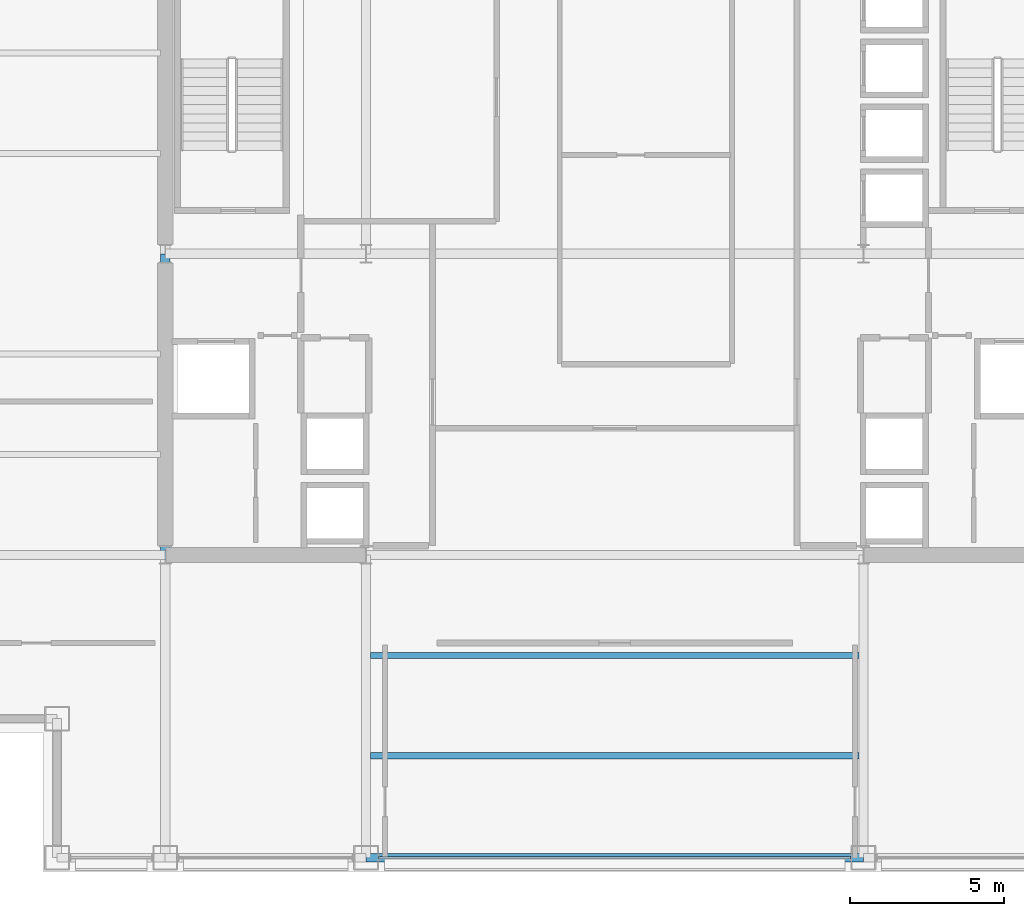
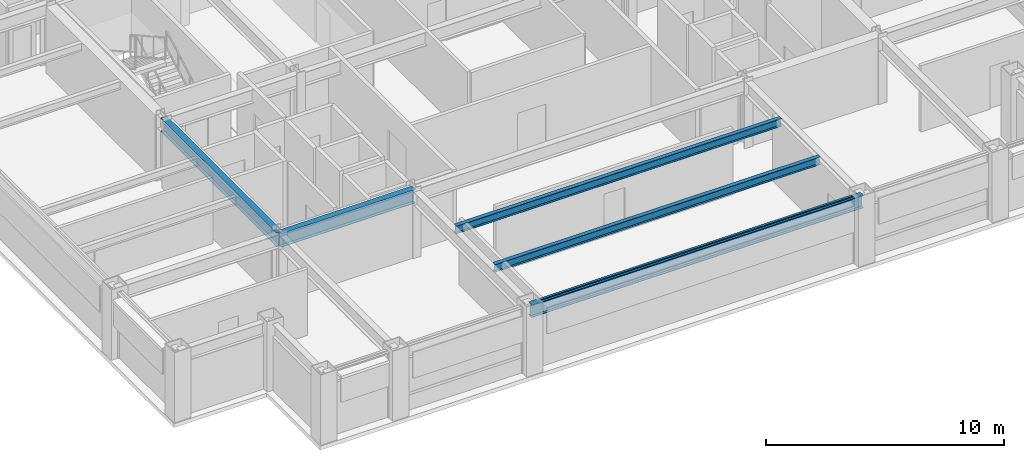
# One storey, part 5 of 29: 5 beams, 1 member, 1 element without a shape of its own.
"""IFC4 building model written with IfcOpenShell, lengths in metres."""

import ifcopenshell
import ifcopenshell.guid

model = None  # the IFC model being written
_history = None  # IfcOwnerHistory: only IFC2X3 demands one
_inside = {}  # id of a spatial element -> (the spatial element, [elements in it])
_under = {}  # id of a project, library or spatial element -> (it, [spatial elements below it])
_declared = {}  # id of a project -> (the project, [libraries it declares])
_typed = {}  # id of a type object -> (the type object, [elements of that type])
_made_of = {}  # id of a material, layer set ... -> (it, [elements and type objects made of it])


def new_model(schema):
    """Start an empty IFC model of exactly this schema.

    Asked for "IFC4X3", IfcOpenShell would pick the latest addendum, in which some entities
    have other attributes; the version numbers below select the first issue.
    IFC2X3 requires an IfcOwnerHistory on every rooted entity: one is made here for all.
    """
    global model, _history
    if schema == "IFC4X3":
        model = ifcopenshell.file(schema_version=(4, 3, 0, 0))
    else:
        model = ifcopenshell.file(schema=schema)
    _inside.clear()
    _under.clear()
    _declared.clear()
    _typed.clear()
    _made_of.clear()
    _history = None
    if model.schema == "IFC2X3":
        org = make("IfcOrganization", Name="unknown")
        user = make(
            "IfcPersonAndOrganization",
            ThePerson=make("IfcPerson", FamilyName="unknown"),
            TheOrganization=org,
        )
        app = make(
            "IfcApplication",
            ApplicationDeveloper=org,
            Version="unknown",
            ApplicationFullName="unknown",
            ApplicationIdentifier="unknown",
        )
        _history = make(
            "IfcOwnerHistory",
            OwningUser=user,
            OwningApplication=app,
            ChangeAction="ADDED",
            CreationDate=0,
        )
    return model


def make(cls, **values):
    """One entity of the class cls with the attributes given. An attribute that is None is left unset."""
    return model.create_entity(
        cls, **{name: value for name, value in values.items() if value is not None}
    )


def rooted(cls, **values):
    """An entity with a GlobalId (a new one), such as an element, a storey or a relation."""
    return make(cls, GlobalId=ifcopenshell.guid.new(), OwnerHistory=_history, **values)


def si_unit(unit_type, name, prefix=None):
    """IfcSIUnit, for example si_unit("LENGTHUNIT", "METRE", prefix="MILLI")."""
    return make("IfcSIUnit", UnitType=unit_type, Prefix=prefix, Name=name)


def assignment(units):
    """IfcUnitAssignment: the units of a project."""
    return None if units is None else make("IfcUnitAssignment", Units=units)


def point(xyz):
    """IfcCartesianPoint."""
    return None if xyz is None else make("IfcCartesianPoint", Coordinates=xyz)


def direction(xyz):
    """IfcDirection."""
    return None if xyz is None else make("IfcDirection", DirectionRatios=xyz)


def frame(location, z_axis=None, x_axis=None):
    """IfcAxis2Placement3D, a coordinate frame: its origin and axes. An axis left out is left unset."""
    return make(
        "IfcAxis2Placement3D",
        Location=point(location),
        Axis=direction(z_axis),
        RefDirection=direction(x_axis),
    )


def frame_2d(location, x_axis=None):
    """IfcAxis2Placement2D, a coordinate frame in the plane: its origin and x axis."""
    return make(
        "IfcAxis2Placement2D", Location=point(location), RefDirection=direction(x_axis)
    )


def origin():
    """The frame at (0, 0, 0) with its axes left unset."""
    return frame((0.0, 0.0, 0.0))


def origin_2d():
    """The frame at (0, 0) in the plane with its x axis left unset."""
    return frame_2d((0.0, 0.0))


def place(relative_to, where):
    """IfcLocalPlacement: puts the frame where relative to a parent placement (None: the world)."""
    return make(
        "IfcLocalPlacement", PlacementRelTo=relative_to, RelativePlacement=where
    )


def context(
    kind, dimensions, precision=None, world=None, true_north=None, identifier=None
):
    """IfcGeometricRepresentationContext, for example the 3D "Model" context."""
    return make(
        "IfcGeometricRepresentationContext",
        ContextIdentifier=identifier,
        ContextType=kind,
        CoordinateSpaceDimension=dimensions,
        Precision=precision,
        WorldCoordinateSystem=world,
        TrueNorth=true_north,
    )


def subcontext(parent, identifier, kind, view, scale=None):
    """IfcGeometricRepresentationSubContext, for example "Body" below "Model"."""
    return make(
        "IfcGeometricRepresentationSubContext",
        ContextIdentifier=identifier,
        ContextType=kind,
        ParentContext=parent,
        TargetScale=scale,
        TargetView=view,
    )


def project(units=None, contexts=None):
    """IfcProject with its units and contexts."""
    return rooted(
        "IfcProject",
        Name="project",
        RepresentationContexts=contexts,
        UnitsInContext=assignment(units),
    )


def spatial(cls, under=None, at=None, **own):
    """A site, building, storey or space (cls), placed at a placement, below another one or the project."""
    s = rooted(cls, ObjectPlacement=at, **own)
    if under is not None:
        _under.setdefault(under.id(), (under, []))[1].append(s)
    return s


def profile(cls, at=None, kind="AREA", **sizes):
    """A parametric profile (cls). Its sizes go by their IFC names, for example OverallWidth=200.0."""
    return make(cls, ProfileType=kind, Position=at, **sizes)


def hollow_rectangle(**sizes):
    """IfcRectangleHollowProfileDef."""
    return profile("IfcRectangleHollowProfileDef", **sizes)


def i_section(**sizes):
    """IfcIShapeProfileDef."""
    return profile("IfcIShapeProfileDef", **sizes)


def extrude(swept, where, along, depth):
    """IfcExtrudedAreaSolid: the profile swept, set in the frame where, extruded along a direction by depth."""
    return make(
        "IfcExtrudedAreaSolid",
        SweptArea=swept,
        Position=where,
        ExtrudedDirection=direction(along),
        Depth=depth,
    )


def shape(context_of_items, identifier, shape_type, items):
    """IfcShapeRepresentation: the items that make up one representation, for example the "Body"."""
    return make(
        "IfcShapeRepresentation",
        ContextOfItems=context_of_items,
        RepresentationIdentifier=identifier,
        RepresentationType=shape_type,
        Items=items,
    )


def material(Name=None, Category=None):
    """IfcMaterial."""
    return make("IfcMaterial", Name=Name, Category=Category)


def layer(
    of_material, thickness, ventilated=None, Name=None, Category=None, Priority=None
):
    """IfcMaterialLayer: one layer of a wall or slab, of a material (None: an air gap)."""
    return make(
        "IfcMaterialLayer",
        Material=of_material,
        LayerThickness=thickness,
        IsVentilated=ventilated,
        Name=Name,
        Category=Category,
        Priority=Priority,
    )


def layer_set(layers, Name=None):
    """IfcMaterialLayerSet."""
    return make("IfcMaterialLayerSet", MaterialLayers=layers, LayerSetName=Name)


def material_profile(
    of_material, cross_section, Name=None, Category=None, Priority=None
):
    """IfcMaterialProfile: a cross section and its material."""
    return make(
        "IfcMaterialProfile",
        Name=Name,
        Material=of_material,
        Profile=cross_section,
        Priority=Priority,
        Category=Category,
    )


def profile_set(profiles, Name=None, composite=None):
    """IfcMaterialProfileSet."""
    return make(
        "IfcMaterialProfileSet",
        Name=Name,
        MaterialProfiles=profiles,
        CompositeProfile=composite,
    )


def made_of(thing, what):
    """Note that an element or type object is made of a material, layer set ...; save() writes the relation."""
    if what is not None:
        _made_of.setdefault(what.id(), (what, []))[1].append(thing)
    return thing


def type_object(cls, material=None, **own):
    """A type object (cls), such as IfcWallType, which elements share."""
    return made_of(rooted(cls, **own), material)


def element(
    cls,
    number,
    at=None,
    inside=None,
    cuts=None,
    type_object=None,
    material=None,
    context=None,
    identifier="Body",
    shape_type=None,
    held_by="IfcProductDefinitionShape",
    body=None,
    shapes=None,
    **own,
):
    """One element of the class cls, such as IfcWall. Its Tag is "e" and its number.

    at: its placement. inside: the storey or other place that contains it. cuts: it is an
    opening in that element (IfcRelVoidsElement). A single representation is given by context,
    identifier, shape_type and body (its items); several are given by shapes. held_by: the class
    of the entity that holds the representations. save() writes the other relations.
    """
    e = rooted(cls, Tag="e%d" % number, ObjectPlacement=at, **own)
    if body is not None:
        shapes = [shape(context, identifier, shape_type, body)]
    if shapes is not None:
        e.Representation = make(held_by, Representations=shapes)
    if inside is not None:
        _inside.setdefault(inside.id(), (inside, []))[1].append(e)
    if cuts is not None:
        rooted(
            "IfcRelVoidsElement", RelatingBuildingElement=cuts, RelatedOpeningElement=e
        )
    if type_object is not None:
        _typed.setdefault(type_object.id(), (type_object, []))[1].append(e)
    return made_of(e, material)


def aggregate(whole, parts):
    """IfcRelAggregates: a whole, such as a stair, and the parts it consists of."""
    return rooted("IfcRelAggregates", RelatingObject=whole, RelatedObjects=parts)


def save(model, path):
    """Write the relations noted so far, then the file.

    IfcRelAggregates (storeys below a building ...), IfcRelContainedInSpatialStructure (elements
    in a storey), IfcRelDefinesByType, IfcRelAssociatesMaterial and IfcRelDeclares: one each for
    every whole, place, type object, material and project.
    """
    for whole, parts in _under.values():
        aggregate(whole, parts)
    for where, things in _inside.values():
        rooted(
            "IfcRelContainedInSpatialStructure",
            RelatedElements=things,
            RelatingStructure=where,
        )
    for kind, things in _typed.values():
        rooted("IfcRelDefinesByType", RelatedObjects=things, RelatingType=kind)
    for what, things in _made_of.values():
        rooted("IfcRelAssociatesMaterial", RelatedObjects=things, RelatingMaterial=what)
    for by, libraries in _declared.values():
        rooted("IfcRelDeclares", RelatingContext=by, RelatedDefinitions=libraries)
    model.write(path)


model = new_model("IFC4")

# Units and contexts
model_context = context("Model", 3, precision=1e-05, world=origin(), true_north=direction((0.0, 1.0)))
body_context = subcontext(model_context, "Body", "Model", "MODEL_VIEW")
ifc_project = project(units=[si_unit("LENGTHUNIT", "METRE"), si_unit("AREAUNIT", "SQUARE_METRE"), si_unit("VOLUMEUNIT", "CUBIC_METRE"), si_unit("PLANEANGLEUNIT", "RADIAN"), si_unit("MASSUNIT", "GRAM", prefix="KILO")], contexts=[model_context])

# Site, building, storey
site_placement = place(None, origin())
site = spatial("IfcSite", under=ifc_project, at=site_placement, CompositionType="ELEMENT")
building_placement = place(site_placement, origin())
building = spatial("IfcBuilding", under=site, at=building_placement, Name="Brelmoor Portico Tower", CompositionType="ELEMENT")
storey_placement = place(building_placement, frame((0.0, 0.0, 124.199951171875)))
storey = spatial("IfcBuildingStorey", under=building, at=storey_placement, Name="L32", CompositionType="ELEMENT", Elevation=124.199951171875)

# Beams
ifc_material_1 = material(Name="Steel Q355B", Category="steel")
ifc_material_profile_1 = material_profile(ifc_material_1, i_section(OverallWidth=0.199951171875, OverallDepth=0.39990234375, WebThickness=0.008056640625, FlangeThickness=0.012939453125, at=origin_2d()), Name="HN 400x200x8x13")
ifc_profile_set_1 = profile_set([ifc_material_profile_1], Name="Steel Q355B")
beam_type_1 = type_object("IfcBeamType", Name="BM-JS-400", PredefinedType="JOIST", material=ifc_profile_set_1)
for number, where, z_axis, x_axis, name in (
    (1, (-7.89990234375, -16.25, 3.199951171875), (1.0, 0.0, 0.0), (0.0, 1.0, 0.0), "L32 Secondary Composite Joist JS-C01"),
    (2, (-7.89990234375, -13.0, 3.199951171875), (1.0, 0.0, 0.0), (0.0, 1.0, 0.0), "L32 Secondary Composite Joist JS-C02"),
):
    element("IfcBeam", number, at=place(storey_placement, frame(where, z_axis=z_axis, x_axis=x_axis)), inside=storey, type_object=beam_type_1, Name=name, PredefinedType="JOIST", context=body_context, shape_type="SweptSolid", body=[
        extrude(i_section(OverallWidth=0.199951171875, OverallDepth=0.39990234375, WebThickness=0.008056640625, FlangeThickness=0.012939453125, at=origin_2d()), origin(), (0.0, 0.0, 1.0), 15.7998046875),
    ])
ifc_material_profile_2 = material_profile(ifc_material_1, i_section(OverallWidth=0.300048828125, OverallDepth=0.699951171875, WebThickness=0.012939453125, FlangeThickness=0.02392578125, at=origin_2d()), Name="HN 700x300x13x24")
ifc_profile_set_2 = profile_set([ifc_material_profile_2], Name="Steel Q355B")
beam_type_2 = type_object("IfcBeamType", Name="BM-PG-700", PredefinedType="BEAM", material=ifc_profile_set_2)
beam_1_placement = place(storey_placement, frame((-14.550048828125, -9.75, 3.050048828125), z_axis=(0.0, 1.0, 0.0), x_axis=(-1.0, 0.0, 0.0)))
element("IfcBeam", 3, at=beam_1_placement, inside=storey, type_object=beam_type_2, Name="L32 Primary Floor Girder PG-02", PredefinedType="BEAM", context=body_context, shape_type="SweptSolid", body=[
    extrude(i_section(OverallWidth=0.300048828125, OverallDepth=0.699951171875, WebThickness=0.012939453125, FlangeThickness=0.02392578125, at=origin_2d()), origin(), (0.0, 0.0, 1.0), 9.75),
])
beam_2_placement = place(storey_placement, frame((-14.550048828125, -9.75, 3.050048828125), z_axis=(1.0, 0.0, 0.0), x_axis=(0.0, 1.0, 0.0)))
element("IfcBeam", 4, at=beam_2_placement, inside=storey, type_object=beam_type_2, Name="L32 Primary Floor Girder PG-15", PredefinedType="BEAM", context=body_context, shape_type="SweptSolid", body=[
    extrude(i_section(OverallWidth=0.300048828125, OverallDepth=0.699951171875, WebThickness=0.012939453125, FlangeThickness=0.02392578125, at=origin_2d()), origin(), (0.0, 0.0, 1.0), 6.5),
])
ifc_material_profile_3 = material_profile(ifc_material_1, i_section(OverallWidth=0.280029296875, OverallDepth=0.64990234375, WebThickness=0.012939453125, FlangeThickness=0.02197265625, at=origin_2d()), Name="HN 650x280x13x22")
ifc_profile_set_3 = profile_set([ifc_material_profile_3], Name="Steel Q355B")
beam_type_3 = type_object("IfcBeamType", Name="BM-SP-650", PredefinedType="SPANDREL", material=ifc_profile_set_3)
beam_3_placement = place(storey_placement, frame((-8.050048828125, -19.550048828125, 3.074951171875), z_axis=(1.0, 0.0, 0.0), x_axis=(0.0, 1.0, 0.0)))
element("IfcBeam", 5, at=beam_3_placement, inside=storey, type_object=beam_type_3, Name="L32 Perimeter Spandrel Beam SP-03", PredefinedType="SPANDREL", context=body_context, shape_type="SweptSolid", body=[
    extrude(i_section(OverallWidth=0.280029296875, OverallDepth=0.64990234375, WebThickness=0.012939453125, FlangeThickness=0.02197265625, at=origin_2d()), origin(), (0.0, 0.0, 1.0), 16.10009765625),
])

# Curtain wall, member
ifc_material_2 = material(Name="Anodised Aluminium Alloy 6063-T6", Category="aluminium")
ifc_layer = layer(ifc_material_2, 0.179931640625)
ifc_layer_set = layer_set([ifc_layer], Name="Anodised Aluminium Alloy 6063-T6")
curtain_wall_type = type_object("IfcCurtainWallType", Name="CW-TOWER-Z2-XB", PredefinedType="NOTDEFINED", material=ifc_layer_set)
curtain_wall_placement = place(storey_placement, origin())
curtain_wall = element("IfcCurtainWall", 6, at=curtain_wall_placement, inside=storey, type_object=curtain_wall_type, Name="L32 Curtain Wall CW-L32-01-3", PredefinedType="NOTDEFINED")
ifc_material_profile_4 = material_profile(ifc_material_2, hollow_rectangle(XDim=0.06494140625, YDim=0.139892578125, WallThickness=0.00390625, at=origin_2d()), Name="ALU TRANSOM 65x140")
ifc_profile_set_4 = profile_set([ifc_material_profile_4], Name="Anodised Aluminium Alloy 6063-T6")
member_type = type_object("IfcMemberType", Name="MB-CW-TRAN-140", PredefinedType="USERDEFINED", material=ifc_profile_set_4)
member_placement = place(storey_placement, frame((-7.639892578125, -19.550048828125, 3.330078125), z_axis=(1.0, 0.0, 0.0), x_axis=(0.0, 1.0, 0.0)))
member = element("IfcMember", 7, at=member_placement, type_object=member_type, Name="CW-L32-01-3 Transom 1-00", ObjectType="TRANSOM", PredefinedType="USERDEFINED", context=body_context, shape_type="SweptSolid", body=[
    extrude(hollow_rectangle(XDim=0.06494140625, YDim=0.139892578125, WallThickness=0.00390625, at=origin_2d()), origin(), (0.0, 0.0, 1.0), 15.27978515625),
])
aggregate(curtain_wall, [member])

save(model, "model.ifc")
